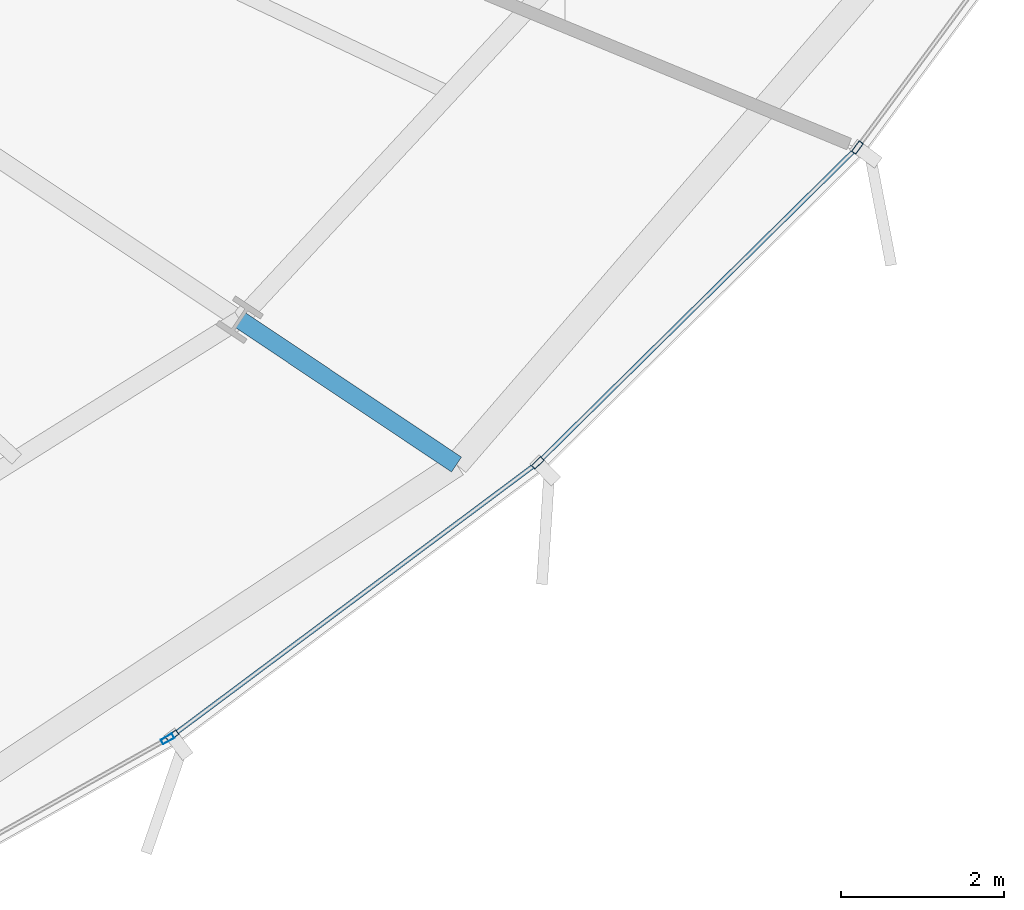
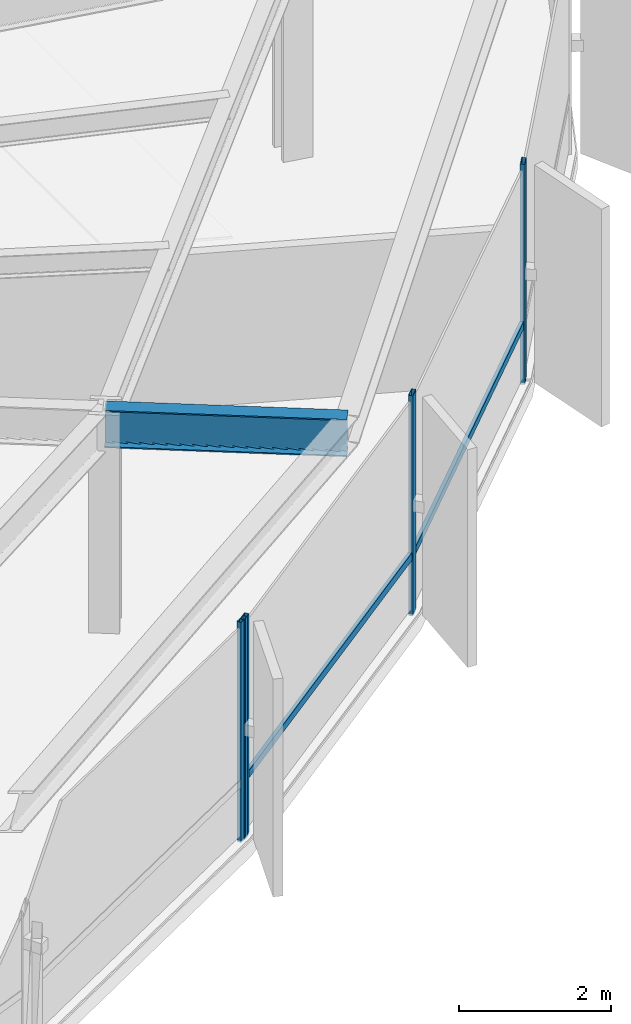
# One storey, part 12 of 35: 6 members, 1 beam, 2 elements without a shape of their own.
"""IFC4 building model written with IfcOpenShell, lengths in metres."""

from ifc_helpers import new_model, si_unit, direction, frame, origin, origin_2d, place, context, subcontext, project, spatial, hollow_rectangle, i_section, extrude, source, transform, mapped, material, layer, layer_set, material_profile, profile_set, type_object, element, aggregate, save


model = new_model("IFC4")

# Units and contexts
model_context = context("Model", 3, precision=1e-05, world=origin(), true_north=direction((0.0, 1.0)))
body_context = subcontext(model_context, "Body", "Model", "MODEL_VIEW")
ifc_project = project(units=[si_unit("LENGTHUNIT", "METRE"), si_unit("AREAUNIT", "SQUARE_METRE"), si_unit("VOLUMEUNIT", "CUBIC_METRE"), si_unit("PLANEANGLEUNIT", "RADIAN"), si_unit("MASSUNIT", "GRAM", prefix="KILO"), si_unit("THERMODYNAMICTEMPERATUREUNIT", "KELVIN")], contexts=[model_context])

# Site, building, storey
site_placement = place(None, origin())
site = spatial("IfcSite", under=ifc_project, at=site_placement, CompositionType="ELEMENT")
building_placement = place(site_placement, origin())
building = spatial("IfcBuilding", under=site, at=building_placement, Name="Kethvar Cultural Tower", CompositionType="ELEMENT")
storey_placement = place(building_placement, frame((0.0, 0.0, 71.39990234375)))
storey = spatial("IfcBuildingStorey", under=building, at=storey_placement, Name="L17", CompositionType="ELEMENT", Elevation=71.39990234375)

# Beam
ifc_material_1 = material(Name="Steel S355J2", Category="steel")
ifc_material_profile_1 = material_profile(ifc_material_1, i_section(OverallWidth=0.219970703125, OverallDepth=0.60009765625, WebThickness=0.011962890625, FlangeThickness=0.01904296875, FilletRadius=0.02392578125, at=origin_2d()), Name="Steel S355J2 — IPE600")
ifc_profile_set_1 = profile_set([ifc_material_profile_1], Name="Steel S355J2 — IPE600")
beam_type = type_object("IfcBeamType", Name="BM-IPE600", PredefinedType="BEAM", material=ifc_profile_set_1)
shared_shape_1 = source(origin(), body_context, "Body", "SweptSolid", [
    extrude(i_section(OverallWidth=0.219970703125, OverallDepth=0.60009765625, WebThickness=0.011962890625, FlangeThickness=0.01904296875, FilletRadius=0.02392578125, at=origin_2d()), origin(), (0.0, 0.0, 1.0), 3.19970703125),
])
beam_placement = place(storey_placement, frame((67.41845703125, 14.023193359375, 3.238037109375), z_axis=(0.831498187863, -0.55552746429, 0.0), x_axis=(0.55552746429, 0.831498187863, 0.0)))
element("IfcBeam", 1, at=beam_placement, inside=storey, type_object=beam_type, Name="L17 Perimeter Cantilever Beam RC-15", PredefinedType="BEAM", context=body_context, shape_type="MappedRepresentation", body=[
    mapped(shared_shape_1, transform((0.0, 0.0, 0.0), scale=1.0)),
])

# Curtain wall, member
ifc_material_2 = material(Name="Aluminium 6063-T6", Category="aluminium")
ifc_layer = layer(ifc_material_2, 0.179931640625, Name="Aluminium 6063-T6", Category="aluminium")
ifc_layer_set = layer_set([ifc_layer], Name="Aluminium 6063-T6 (180 mm)")
curtain_wall_type = type_object("IfcCurtainWallType", Name="CW-SYS-02-Z1", PredefinedType="NOTDEFINED", material=ifc_layer_set)
curtain_wall_1_placement = place(storey_placement, origin())
curtain_wall_1 = element("IfcCurtainWall", 2, at=curtain_wall_1_placement, inside=storey, type_object=curtain_wall_type, Name="L17 Curtain Wall Run 05", PredefinedType="NOTDEFINED")
ifc_material_profile_2 = material_profile(ifc_material_2, hollow_rectangle(XDim=0.06494140625, YDim=0.159912109375, WallThickness=0.0048828125, at=origin_2d()), Name="Aluminium 6063-T6 — RHS160x65x5")
ifc_profile_set_2 = profile_set([ifc_material_profile_2], Name="Aluminium 6063-T6 — RHS160x65x5")
member_type_1 = type_object("IfcMemberType", Name="CW-SYS-02-Z1-MUL", PredefinedType="MULLION", material=ifc_profile_set_2)
shared_shape_2 = source(origin(), body_context, "Body", "SweptSolid", [
    extrude(hollow_rectangle(XDim=0.06494140625, YDim=0.159912109375, WallThickness=0.0048828125, at=origin_2d()), origin(), (0.0, 0.0, 1.0), 3.5400390625),
])
member_1_placement = place(storey_placement, frame((66.533203125, 8.880126953125, 0.0), z_axis=(0.0, 0.0, 1.0), x_axis=(-0.489580305392, 0.87195821263, 0.0)))
member_1 = element("IfcMember", 3, at=member_1_placement, type_object=member_type_1, Name="CW-L17-R05 Mullion 7", PredefinedType="MULLION", context=body_context, shape_type="MappedRepresentation", body=[
    mapped(shared_shape_2, transform((0.0, 0.0, 0.0), scale=1.0)),
])
aggregate(curtain_wall_1, [member_1])

# Curtain wall, members
curtain_wall_2_placement = place(storey_placement, origin())
curtain_wall_2 = element("IfcCurtainWall", 4, at=curtain_wall_2_placement, inside=storey, type_object=curtain_wall_type, Name="L17 Curtain Wall Run 06", PredefinedType="NOTDEFINED")
member_2_placement = place(storey_placement, frame((66.5908203125, 8.91748046875, 0.0), z_axis=(0.0, 0.0, 1.0), x_axis=(-0.598394520878, 0.801201595969, 0.0)))
member_2 = element("IfcMember", 5, at=member_2_placement, type_object=member_type_1, Name="CW-L17-R06 Mullion 1", PredefinedType="MULLION", context=body_context, shape_type="MappedRepresentation", body=[
    mapped(shared_shape_2, transform((0.0, 0.0, 0.0), scale=1.0)),
])
member_3_placement = place(storey_placement, frame((71.07568359375, 12.265869140625, 0.0), z_axis=(0.0, 0.0, 1.0), x_axis=(-0.70248850939, 0.711695085114, 0.0)))
member_3 = element("IfcMember", 6, at=member_3_placement, type_object=member_type_1, Name="CW-L17-R06 Mullion 2", PredefinedType="MULLION", context=body_context, shape_type="MappedRepresentation", body=[
    mapped(shared_shape_2, transform((0.0, 0.0, 0.0), scale=1.0)),
])
member_4_placement = place(storey_placement, frame((74.99853515625, 16.1357421875, 0.0), z_axis=(0.0, 0.0, 1.0), x_axis=(-0.804271929332, 0.594261443885, 0.0)))
member_4 = element("IfcMember", 7, at=member_4_placement, type_object=member_type_1, Name="CW-L17-R06 Mullion 3", PredefinedType="MULLION", context=body_context, shape_type="MappedRepresentation", body=[
    mapped(shared_shape_2, transform((0.0, 0.0, 0.0), scale=1.0)),
])
ifc_material_profile_3 = material_profile(ifc_material_2, hollow_rectangle(XDim=0.054931640625, YDim=0.1201171875, WallThickness=0.00390625, at=origin_2d()), Name="Aluminium 6063-T6 — RHS120x55x4")
ifc_profile_set_3 = profile_set([ifc_material_profile_3], Name="Aluminium 6063-T6 — RHS120x55x4")
member_type_2 = type_object("IfcMemberType", Name="CW-SYS-02-Z1-TRN", PredefinedType="USERDEFINED", material=ifc_profile_set_3)
shared_shape_3 = source(origin(), body_context, "Body", "SweptSolid", [
    extrude(hollow_rectangle(XDim=0.054931640625, YDim=0.1201171875, WallThickness=0.00390625, at=origin_2d()), origin(), (0.0, 0.0, 1.0), 5.56201171875),
])
member_5_placement = place(storey_placement, frame((66.594482421875, 8.92041015625, 0.9501953125), z_axis=(0.801215123896, 0.598376407656, 0.0), x_axis=(-0.598376407656, 0.801215123896, 0.0)))
member_5 = element("IfcMember", 8, at=member_5_placement, type_object=member_type_2, Name="CW-L17-R06 Transom 1", ObjectType="TRANSOM", PredefinedType="USERDEFINED", context=body_context, shape_type="MappedRepresentation", body=[
    mapped(shared_shape_3, transform((0.0, 0.0, 0.0), scale=1.0)),
])
shared_shape_4 = source(origin(), body_context, "Body", "SweptSolid", [
    extrude(hollow_rectangle(XDim=0.054931640625, YDim=0.1201171875, WallThickness=0.00390625, at=origin_2d()), origin(), (0.0, 0.0, 1.0), 5.43505859375),
])
member_6_placement = place(storey_placement, frame((71.109130859375, 12.298828125, 0.9501953125), z_axis=(0.711695984643, 0.702487598071, 0.0), x_axis=(-0.702487598071, 0.711695984643, 0.0)))
member_6 = element("IfcMember", 9, at=member_6_placement, type_object=member_type_2, Name="CW-L17-R06 Transom 2", ObjectType="TRANSOM", PredefinedType="USERDEFINED", context=body_context, shape_type="MappedRepresentation", body=[
    mapped(shared_shape_4, transform((0.0, 0.0, 0.0), scale=1.0)),
])
aggregate(curtain_wall_2, [member_2, member_3, member_4, member_5, member_6])

save(model, "model.ifc")
